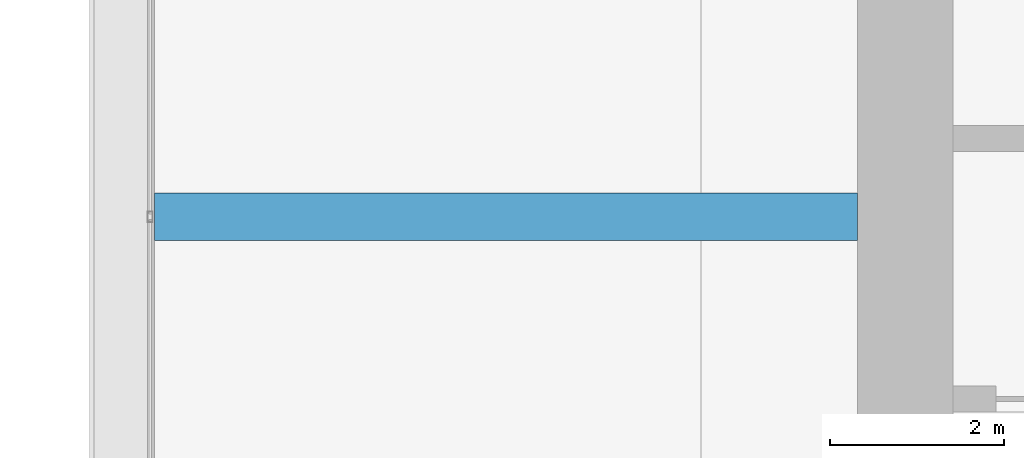
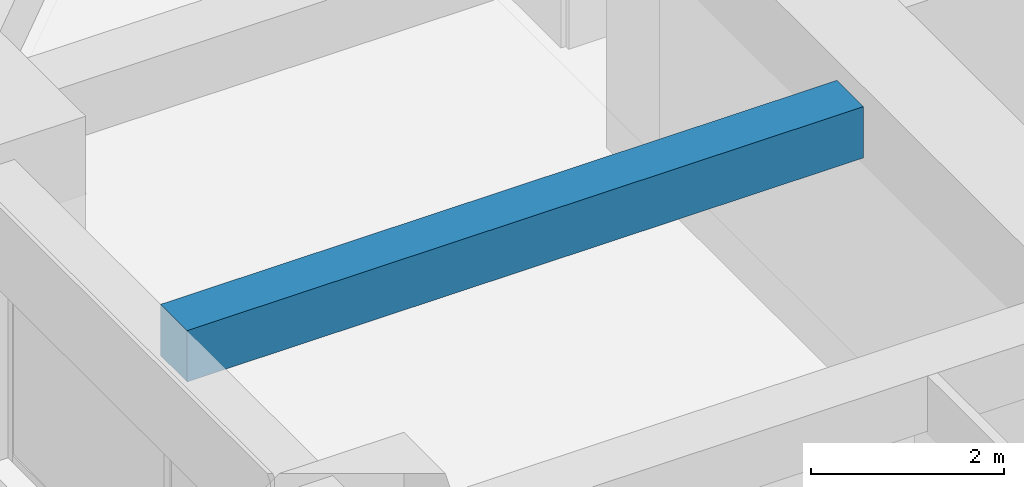
# One storey, part 17 of 45: 1 beam.
"""IFC4 building model written with IfcOpenShell, lengths in metres."""

import ifcopenshell
import ifcopenshell.guid

model = None  # the IFC model being written
_history = None  # IfcOwnerHistory: only IFC2X3 demands one
_inside = {}  # id of a spatial element -> (the spatial element, [elements in it])
_under = {}  # id of a project, library or spatial element -> (it, [spatial elements below it])
_declared = {}  # id of a project -> (the project, [libraries it declares])
_typed = {}  # id of a type object -> (the type object, [elements of that type])
_made_of = {}  # id of a material, layer set ... -> (it, [elements and type objects made of it])


def new_model(schema):
    """Start an empty IFC model of exactly this schema.

    Asked for "IFC4X3", IfcOpenShell would pick the latest addendum, in which some entities
    have other attributes; the version numbers below select the first issue.
    IFC2X3 requires an IfcOwnerHistory on every rooted entity: one is made here for all.
    """
    global model, _history
    if schema == "IFC4X3":
        model = ifcopenshell.file(schema_version=(4, 3, 0, 0))
    else:
        model = ifcopenshell.file(schema=schema)
    _inside.clear()
    _under.clear()
    _declared.clear()
    _typed.clear()
    _made_of.clear()
    _history = None
    if model.schema == "IFC2X3":
        org = make("IfcOrganization", Name="unknown")
        user = make(
            "IfcPersonAndOrganization",
            ThePerson=make("IfcPerson", FamilyName="unknown"),
            TheOrganization=org,
        )
        app = make(
            "IfcApplication",
            ApplicationDeveloper=org,
            Version="unknown",
            ApplicationFullName="unknown",
            ApplicationIdentifier="unknown",
        )
        _history = make(
            "IfcOwnerHistory",
            OwningUser=user,
            OwningApplication=app,
            ChangeAction="ADDED",
            CreationDate=0,
        )
    return model


def make(cls, **values):
    """One entity of the class cls with the attributes given. An attribute that is None is left unset."""
    return model.create_entity(
        cls, **{name: value for name, value in values.items() if value is not None}
    )


def rooted(cls, **values):
    """An entity with a GlobalId (a new one), such as an element, a storey or a relation."""
    return make(cls, GlobalId=ifcopenshell.guid.new(), OwnerHistory=_history, **values)


def si_unit(unit_type, name, prefix=None):
    """IfcSIUnit, for example si_unit("LENGTHUNIT", "METRE", prefix="MILLI")."""
    return make("IfcSIUnit", UnitType=unit_type, Prefix=prefix, Name=name)


def assignment(units):
    """IfcUnitAssignment: the units of a project."""
    return None if units is None else make("IfcUnitAssignment", Units=units)


def point(xyz):
    """IfcCartesianPoint."""
    return None if xyz is None else make("IfcCartesianPoint", Coordinates=xyz)


def direction(xyz):
    """IfcDirection."""
    return None if xyz is None else make("IfcDirection", DirectionRatios=xyz)


def frame(location, z_axis=None, x_axis=None):
    """IfcAxis2Placement3D, a coordinate frame: its origin and axes. An axis left out is left unset."""
    return make(
        "IfcAxis2Placement3D",
        Location=point(location),
        Axis=direction(z_axis),
        RefDirection=direction(x_axis),
    )


def frame_2d(location, x_axis=None):
    """IfcAxis2Placement2D, a coordinate frame in the plane: its origin and x axis."""
    return make(
        "IfcAxis2Placement2D", Location=point(location), RefDirection=direction(x_axis)
    )


def origin():
    """The frame at (0, 0, 0) with its axes left unset."""
    return frame((0.0, 0.0, 0.0))


def origin_2d():
    """The frame at (0, 0) in the plane with its x axis left unset."""
    return frame_2d((0.0, 0.0))


def place(relative_to, where):
    """IfcLocalPlacement: puts the frame where relative to a parent placement (None: the world)."""
    return make(
        "IfcLocalPlacement", PlacementRelTo=relative_to, RelativePlacement=where
    )


def context(
    kind, dimensions, precision=None, world=None, true_north=None, identifier=None
):
    """IfcGeometricRepresentationContext, for example the 3D "Model" context."""
    return make(
        "IfcGeometricRepresentationContext",
        ContextIdentifier=identifier,
        ContextType=kind,
        CoordinateSpaceDimension=dimensions,
        Precision=precision,
        WorldCoordinateSystem=world,
        TrueNorth=true_north,
    )


def subcontext(parent, identifier, kind, view, scale=None):
    """IfcGeometricRepresentationSubContext, for example "Body" below "Model"."""
    return make(
        "IfcGeometricRepresentationSubContext",
        ContextIdentifier=identifier,
        ContextType=kind,
        ParentContext=parent,
        TargetScale=scale,
        TargetView=view,
    )


def project(units=None, contexts=None):
    """IfcProject with its units and contexts."""
    return rooted(
        "IfcProject",
        Name="project",
        RepresentationContexts=contexts,
        UnitsInContext=assignment(units),
    )


def spatial(cls, under=None, at=None, **own):
    """A site, building, storey or space (cls), placed at a placement, below another one or the project."""
    s = rooted(cls, ObjectPlacement=at, **own)
    if under is not None:
        _under.setdefault(under.id(), (under, []))[1].append(s)
    return s


def profile(cls, at=None, kind="AREA", **sizes):
    """A parametric profile (cls). Its sizes go by their IFC names, for example OverallWidth=200.0."""
    return make(cls, ProfileType=kind, Position=at, **sizes)


def rectangle(**sizes):
    """IfcRectangleProfileDef."""
    return profile("IfcRectangleProfileDef", **sizes)


def extrude(swept, where, along, depth):
    """IfcExtrudedAreaSolid: the profile swept, set in the frame where, extruded along a direction by depth."""
    return make(
        "IfcExtrudedAreaSolid",
        SweptArea=swept,
        Position=where,
        ExtrudedDirection=direction(along),
        Depth=depth,
    )


def shape(context_of_items, identifier, shape_type, items):
    """IfcShapeRepresentation: the items that make up one representation, for example the "Body"."""
    return make(
        "IfcShapeRepresentation",
        ContextOfItems=context_of_items,
        RepresentationIdentifier=identifier,
        RepresentationType=shape_type,
        Items=items,
    )


def material(Name=None, Category=None):
    """IfcMaterial."""
    return make("IfcMaterial", Name=Name, Category=Category)


def material_profile(
    of_material, cross_section, Name=None, Category=None, Priority=None
):
    """IfcMaterialProfile: a cross section and its material."""
    return make(
        "IfcMaterialProfile",
        Name=Name,
        Material=of_material,
        Profile=cross_section,
        Priority=Priority,
        Category=Category,
    )


def profile_set(profiles, Name=None, composite=None):
    """IfcMaterialProfileSet."""
    return make(
        "IfcMaterialProfileSet",
        Name=Name,
        MaterialProfiles=profiles,
        CompositeProfile=composite,
    )


def made_of(thing, what):
    """Note that an element or type object is made of a material, layer set ...; save() writes the relation."""
    if what is not None:
        _made_of.setdefault(what.id(), (what, []))[1].append(thing)
    return thing


def type_object(cls, material=None, **own):
    """A type object (cls), such as IfcWallType, which elements share."""
    return made_of(rooted(cls, **own), material)


def element(
    cls,
    number,
    at=None,
    inside=None,
    cuts=None,
    type_object=None,
    material=None,
    context=None,
    identifier="Body",
    shape_type=None,
    held_by="IfcProductDefinitionShape",
    body=None,
    shapes=None,
    **own,
):
    """One element of the class cls, such as IfcWall. Its Tag is "e" and its number.

    at: its placement. inside: the storey or other place that contains it. cuts: it is an
    opening in that element (IfcRelVoidsElement). A single representation is given by context,
    identifier, shape_type and body (its items); several are given by shapes. held_by: the class
    of the entity that holds the representations. save() writes the other relations.
    """
    e = rooted(cls, Tag="e%d" % number, ObjectPlacement=at, **own)
    if body is not None:
        shapes = [shape(context, identifier, shape_type, body)]
    if shapes is not None:
        e.Representation = make(held_by, Representations=shapes)
    if inside is not None:
        _inside.setdefault(inside.id(), (inside, []))[1].append(e)
    if cuts is not None:
        rooted(
            "IfcRelVoidsElement", RelatingBuildingElement=cuts, RelatedOpeningElement=e
        )
    if type_object is not None:
        _typed.setdefault(type_object.id(), (type_object, []))[1].append(e)
    return made_of(e, material)


def aggregate(whole, parts):
    """IfcRelAggregates: a whole, such as a stair, and the parts it consists of."""
    return rooted("IfcRelAggregates", RelatingObject=whole, RelatedObjects=parts)


def save(model, path):
    """Write the relations noted so far, then the file.

    IfcRelAggregates (storeys below a building ...), IfcRelContainedInSpatialStructure (elements
    in a storey), IfcRelDefinesByType, IfcRelAssociatesMaterial and IfcRelDeclares: one each for
    every whole, place, type object, material and project.
    """
    for whole, parts in _under.values():
        aggregate(whole, parts)
    for where, things in _inside.values():
        rooted(
            "IfcRelContainedInSpatialStructure",
            RelatedElements=things,
            RelatingStructure=where,
        )
    for kind, things in _typed.values():
        rooted("IfcRelDefinesByType", RelatedObjects=things, RelatingType=kind)
    for what, things in _made_of.values():
        rooted("IfcRelAssociatesMaterial", RelatedObjects=things, RelatingMaterial=what)
    for by, libraries in _declared.values():
        rooted("IfcRelDeclares", RelatingContext=by, RelatedDefinitions=libraries)
    model.write(path)


model = new_model("IFC4")

# Units and contexts
model_context = context("Model", 3, precision=1e-05, world=origin(), true_north=direction((0.0, 1.0)))
body_context = subcontext(model_context, "Body", "Model", "MODEL_VIEW")
ifc_project = project(units=[si_unit("LENGTHUNIT", "METRE"), si_unit("AREAUNIT", "SQUARE_METRE"), si_unit("VOLUMEUNIT", "CUBIC_METRE"), si_unit("PLANEANGLEUNIT", "RADIAN"), si_unit("MASSUNIT", "GRAM", prefix="KILO")], contexts=[model_context])

# Site, building, storey
site_placement = place(None, origin())
site = spatial("IfcSite", under=ifc_project, at=site_placement, CompositionType="ELEMENT")
building_placement = place(site_placement, origin())
building = spatial("IfcBuilding", under=site, at=building_placement, Name="Zorevar Civic Tower", CompositionType="ELEMENT")
storey_placement = place(building_placement, frame((0.0, 0.0, 247.39990234375)))
storey = spatial("IfcBuildingStorey", under=building, at=storey_placement, Name="L60", CompositionType="ELEMENT", Elevation=247.39990234375)

# Beam
ifc_material = material(Name="Concrete C50/60", Category="concrete")
ifc_material_profile = material_profile(ifc_material, rectangle(XDim=0.550048828125, YDim=0.64990234375, at=origin_2d()), Name="RC 550x650")
ifc_profile_set = profile_set([ifc_material_profile], Name="Concrete C50/60")
beam_type = type_object("IfcBeamType", Name="Beam RC 550x650", PredefinedType="BEAM", material=ifc_profile_set)
beam_placement = place(storey_placement, frame((9.35009765625, 31.5, 3.425048828125), z_axis=(1.0, 0.0, 0.0), x_axis=(0.0, 1.0, 0.0)))
element("IfcBeam", 1, at=beam_placement, inside=storey, type_object=beam_type, Name="Secondary beam L61", PredefinedType="BEAM", context=body_context, shape_type="SweptSolid", body=[
    extrude(rectangle(XDim=0.550048828125, YDim=0.64990234375, at=origin_2d()), origin(), (0.0, 0.0, 1.0), 8.099853515625),
])

save(model, "model.ifc")
